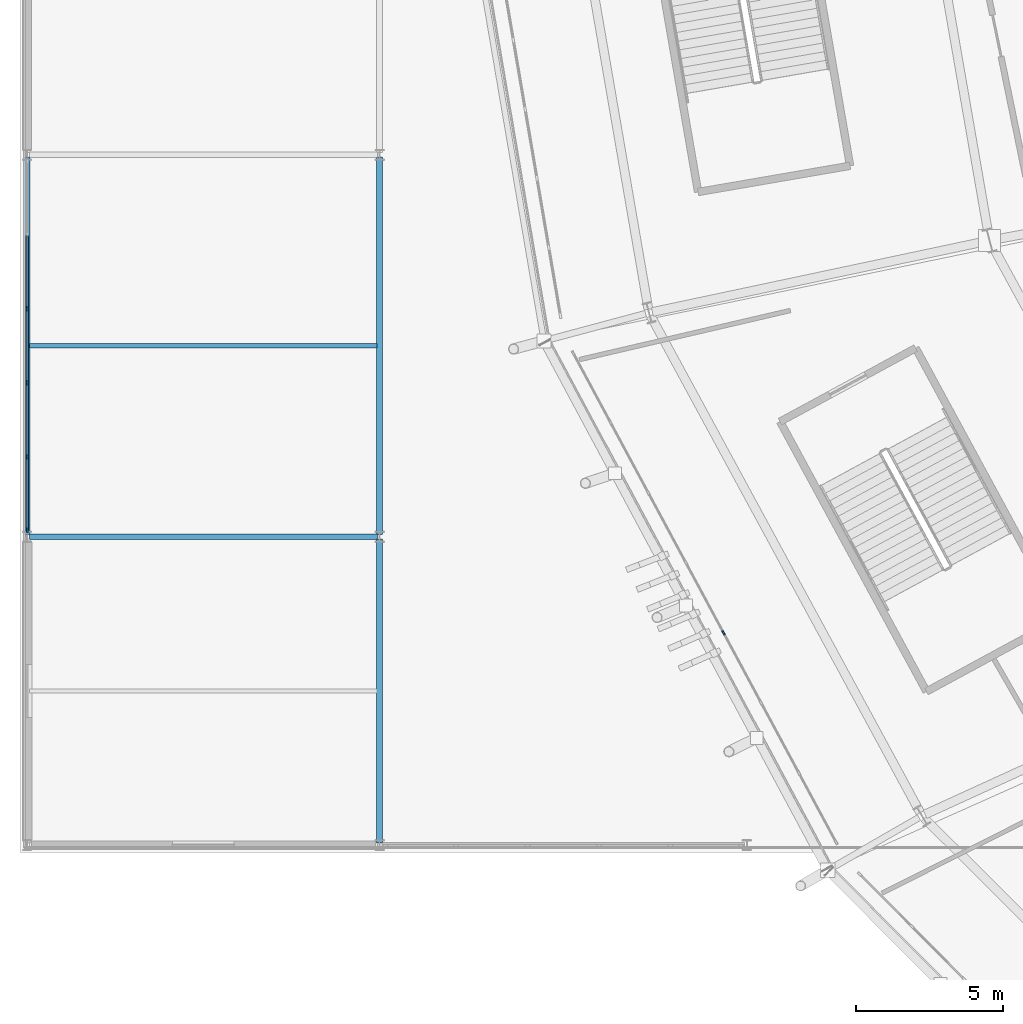
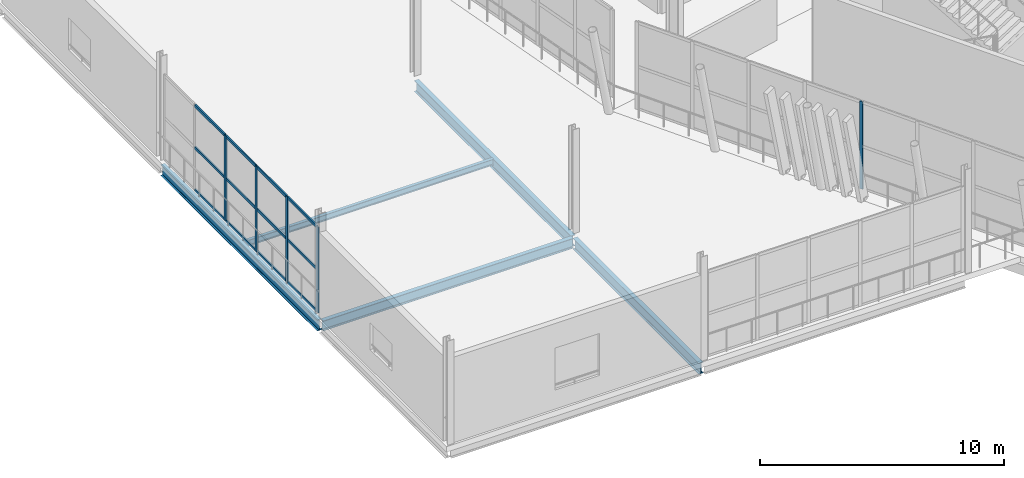
# One storey, part 25 of 168: 17 members, 5 beams, 2 elements without a shape of their own.
"""IFC4 building model written with IfcOpenShell, lengths in metres."""

from ifc_helpers import new_model, si_unit, direction, frame, origin, origin_2d, place, context, subcontext, project, spatial, rectangle, i_section, extrude, material, material_profile, profile_set, type_object, element, aggregate, save


model = new_model("IFC4")

# Units and contexts
model_context = context("Model", 3, precision=1e-05, world=origin(), true_north=direction((0.0, 1.0)))
body_context = subcontext(model_context, "Body", "Model", "MODEL_VIEW")
ifc_project = project(units=[si_unit("LENGTHUNIT", "METRE"), si_unit("AREAUNIT", "SQUARE_METRE"), si_unit("VOLUMEUNIT", "CUBIC_METRE"), si_unit("PLANEANGLEUNIT", "RADIAN"), si_unit("MASSUNIT", "GRAM", prefix="KILO")], contexts=[model_context])

# Site, building, storey
site_placement = place(None, origin())
site = spatial("IfcSite", under=ifc_project, at=site_placement, CompositionType="ELEMENT")
building_placement = place(site_placement, origin())
building = spatial("IfcBuilding", under=site, at=building_placement, Name="Zlatoyarsky Gate Stadium", CompositionType="ELEMENT")
storey_placement = place(building_placement, frame((0.0, 0.0, 15.60009765625)))
storey = spatial("IfcBuildingStorey", under=building, at=storey_placement, Name="L03", CompositionType="ELEMENT", Elevation=15.60009765625)

# Curtain wall, member
ifc_material_1 = material(Name="Thermally broken anodised aluminium curtain wall", Category="aluminium")
curtain_wall_type_1 = type_object("IfcCurtainWallType", Name="UNITISED CORPORATE BOX GLAZING L03", PredefinedType="USERDEFINED", material=ifc_material_1)
curtain_wall_1_placement = place(storey_placement, origin())
curtain_wall_1 = element("IfcCurtainWall", 1, at=curtain_wall_1_placement, inside=storey, type_object=curtain_wall_type_1, Name="Curtain wall CW-L03-13", ObjectType="UNITISED GLAZING", PredefinedType="USERDEFINED")
ifc_material_2 = material(Name="Anodised aluminium 6063-T6", Category="aluminium")
ifc_material_profile_1 = material_profile(ifc_material_2, rectangle(XDim=0.06494140625, YDim=0.159912109375, at=origin_2d()), Name="ALU 65X160")
ifc_profile_set_1 = profile_set([ifc_material_profile_1], Name="Anodised aluminium 6063-T6")
member_type_1 = type_object("IfcMemberType", Name="ALUMINIUM MULLION 65X160", PredefinedType="MULLION", material=ifc_profile_set_1)
member_1_placement = place(storey_placement, frame((23.705322265625, 50.729736328125, 0.0), z_axis=(0.0, 0.0, 1.0), x_axis=(0.880877202392, 0.473344857694, 0.0)))
member_1 = element("IfcMember", 2, at=member_1_placement, type_object=member_type_1, Name="CW-UG3 mullion 5", PredefinedType="MULLION", context=body_context, shape_type="SweptSolid", body=[
    extrude(rectangle(XDim=0.06494140625, YDim=0.159912109375, at=origin_2d()), origin(), (0.0, 0.0, 1.0), 4.3798828125),
])
aggregate(curtain_wall_1, [member_1])

# Curtain wall, members
curtain_wall_type_2 = type_object("IfcCurtainWallType", Name="WINTER GARDEN CONSERVATORY GLAZING", PredefinedType="USERDEFINED", material=ifc_material_1)
curtain_wall_2_placement = place(storey_placement, origin())
curtain_wall_2 = element("IfcCurtainWall", 3, at=curtain_wall_2_placement, inside=storey, type_object=curtain_wall_type_2, Name="Curtain wall CW-V4_WEST-L03-171", ObjectType="UNITISED GLAZING", PredefinedType="USERDEFINED")
member_2_placement = place(storey_placement, frame((0.0, 54.224609375, 0.0), z_axis=(0.0, 0.0, 1.0), x_axis=(-1.0, 0.0, 0.0)))
member_2 = element("IfcMember", 4, at=member_2_placement, type_object=member_type_1, Name="CW-WG1 mullion 1", PredefinedType="MULLION", context=body_context, shape_type="SweptSolid", body=[
    extrude(rectangle(XDim=0.06494140625, YDim=0.159912109375, at=origin_2d()), origin(), (0.0, 0.0, 1.0), 4.27978515625),
])
member_3_placement = place(storey_placement, frame((0.0, 56.715087890625, 0.0), z_axis=(0.0, 0.0, 1.0), x_axis=(-1.0, 0.0, 0.0)))
member_3 = element("IfcMember", 5, at=member_3_placement, type_object=member_type_1, Name="CW-WG1 mullion 2", PredefinedType="MULLION", context=body_context, shape_type="SweptSolid", body=[
    extrude(rectangle(XDim=0.06494140625, YDim=0.159912109375, at=origin_2d()), origin(), (0.0, 0.0, 1.0), 4.27978515625),
])
member_4_placement = place(storey_placement, frame((0.0, 59.23828125, 0.0), z_axis=(0.0, 0.0, 1.0), x_axis=(-1.0, 0.0, 0.0)))
member_4 = element("IfcMember", 6, at=member_4_placement, type_object=member_type_1, Name="CW-WG1 mullion 3", PredefinedType="MULLION", context=body_context, shape_type="SweptSolid", body=[
    extrude(rectangle(XDim=0.06494140625, YDim=0.159912109375, at=origin_2d()), origin(), (0.0, 0.0, 1.0), 4.27978515625),
])
member_5_placement = place(storey_placement, frame((0.0, 61.76171875, 0.0), z_axis=(0.0, 0.0, 1.0), x_axis=(-1.0, 0.0, 0.0)))
member_5 = element("IfcMember", 7, at=member_5_placement, type_object=member_type_1, Name="CW-WG1 mullion 4", PredefinedType="MULLION", context=body_context, shape_type="SweptSolid", body=[
    extrude(rectangle(XDim=0.06494140625, YDim=0.159912109375, at=origin_2d()), origin(), (0.0, 0.0, 1.0), 4.27978515625),
])
ifc_material_profile_2 = material_profile(ifc_material_2, rectangle(XDim=0.06494140625, YDim=0.139892578125, at=origin_2d()), Name="ALU 65X140")
ifc_profile_set_2 = profile_set([ifc_material_profile_2], Name="Anodised aluminium 6063-T6")
member_type_2 = type_object("IfcMemberType", Name="ALUMINIUM TRANSOM 65X140", PredefinedType="USERDEFINED", material=ifc_profile_set_2)
member_6_placement = place(storey_placement, frame((0.0, 54.257080078125, 0.032470703125), z_axis=(0.0, 1.0, 0.0), x_axis=(-1.0, 0.0, 0.0)))
member_6 = element("IfcMember", 8, at=member_6_placement, type_object=member_type_2, Name="CW-WG1 transom 1.1", ObjectType="TRANSOM", PredefinedType="USERDEFINED", context=body_context, shape_type="SweptSolid", body=[
    extrude(rectangle(XDim=0.06494140625, YDim=0.139892578125, at=origin_2d()), origin(), (0.0, 0.0, 1.0), 2.425537109375),
])
member_7_placement = place(storey_placement, frame((0.0, 54.257080078125, 2.14990234375), z_axis=(0.0, 1.0, 0.0), x_axis=(-1.0, 0.0, 0.0)))
member_7 = element("IfcMember", 9, at=member_7_placement, type_object=member_type_2, Name="CW-WG1 transom 1.2", ObjectType="TRANSOM", PredefinedType="USERDEFINED", context=body_context, shape_type="SweptSolid", body=[
    extrude(rectangle(XDim=0.06494140625, YDim=0.139892578125, at=origin_2d()), origin(), (0.0, 0.0, 1.0), 2.425537109375),
])
member_8_placement = place(storey_placement, frame((0.0, 54.257080078125, 4.247314453125), z_axis=(0.0, 1.0, 0.0), x_axis=(-1.0, 0.0, 0.0)))
member_8 = element("IfcMember", 10, at=member_8_placement, type_object=member_type_2, Name="CW-WG1 transom 1.3", ObjectType="TRANSOM", PredefinedType="USERDEFINED", context=body_context, shape_type="SweptSolid", body=[
    extrude(rectangle(XDim=0.06494140625, YDim=0.139892578125, at=origin_2d()), origin(), (0.0, 0.0, 1.0), 2.425537109375),
])
member_9_placement = place(storey_placement, frame((0.0, 56.747802734375, 0.032470703125), z_axis=(0.0, 1.0, 0.0), x_axis=(-1.0, 0.0, 0.0)))
member_9 = element("IfcMember", 11, at=member_9_placement, type_object=member_type_2, Name="CW-WG1 transom 2.1", ObjectType="TRANSOM", PredefinedType="USERDEFINED", context=body_context, shape_type="SweptSolid", body=[
    extrude(rectangle(XDim=0.06494140625, YDim=0.139892578125, at=origin_2d()), origin(), (0.0, 0.0, 1.0), 2.4580078125),
])
member_10_placement = place(storey_placement, frame((0.0, 56.747802734375, 2.14990234375), z_axis=(0.0, 1.0, 0.0), x_axis=(-1.0, 0.0, 0.0)))
member_10 = element("IfcMember", 12, at=member_10_placement, type_object=member_type_2, Name="CW-WG1 transom 2.2", ObjectType="TRANSOM", PredefinedType="USERDEFINED", context=body_context, shape_type="SweptSolid", body=[
    extrude(rectangle(XDim=0.06494140625, YDim=0.139892578125, at=origin_2d()), origin(), (0.0, 0.0, 1.0), 2.4580078125),
])
member_11_placement = place(storey_placement, frame((0.0, 56.747802734375, 4.247314453125), z_axis=(0.0, 1.0, 0.0), x_axis=(-1.0, 0.0, 0.0)))
member_11 = element("IfcMember", 13, at=member_11_placement, type_object=member_type_2, Name="CW-WG1 transom 2.3", ObjectType="TRANSOM", PredefinedType="USERDEFINED", context=body_context, shape_type="SweptSolid", body=[
    extrude(rectangle(XDim=0.06494140625, YDim=0.139892578125, at=origin_2d()), origin(), (0.0, 0.0, 1.0), 2.4580078125),
])
member_12_placement = place(storey_placement, frame((0.0, 59.27099609375, 0.032470703125), z_axis=(0.0, 1.0, 0.0), x_axis=(-1.0, 0.0, 0.0)))
member_12 = element("IfcMember", 14, at=member_12_placement, type_object=member_type_2, Name="CW-WG1 transom 3.1", ObjectType="TRANSOM", PredefinedType="USERDEFINED", context=body_context, shape_type="SweptSolid", body=[
    extrude(rectangle(XDim=0.06494140625, YDim=0.139892578125, at=origin_2d()), origin(), (0.0, 0.0, 1.0), 2.4580078125),
])
member_13_placement = place(storey_placement, frame((0.0, 59.27099609375, 2.14990234375), z_axis=(0.0, 1.0, 0.0), x_axis=(-1.0, 0.0, 0.0)))
member_13 = element("IfcMember", 15, at=member_13_placement, type_object=member_type_2, Name="CW-WG1 transom 3.2", ObjectType="TRANSOM", PredefinedType="USERDEFINED", context=body_context, shape_type="SweptSolid", body=[
    extrude(rectangle(XDim=0.06494140625, YDim=0.139892578125, at=origin_2d()), origin(), (0.0, 0.0, 1.0), 2.4580078125),
])
member_14_placement = place(storey_placement, frame((0.0, 59.27099609375, 4.247314453125), z_axis=(0.0, 1.0, 0.0), x_axis=(-1.0, 0.0, 0.0)))
member_14 = element("IfcMember", 16, at=member_14_placement, type_object=member_type_2, Name="CW-WG1 transom 3.3", ObjectType="TRANSOM", PredefinedType="USERDEFINED", context=body_context, shape_type="SweptSolid", body=[
    extrude(rectangle(XDim=0.06494140625, YDim=0.139892578125, at=origin_2d()), origin(), (0.0, 0.0, 1.0), 2.4580078125),
])
member_15_placement = place(storey_placement, frame((0.0, 61.794189453125, 0.032470703125), z_axis=(0.0, 1.0, 0.0), x_axis=(-1.0, 0.0, 0.0)))
member_15 = element("IfcMember", 17, at=member_15_placement, type_object=member_type_2, Name="CW-WG1 transom 4.1", ObjectType="TRANSOM", PredefinedType="USERDEFINED", context=body_context, shape_type="SweptSolid", body=[
    extrude(rectangle(XDim=0.06494140625, YDim=0.139892578125, at=origin_2d()), origin(), (0.0, 0.0, 1.0), 2.4580078125),
])
member_16_placement = place(storey_placement, frame((0.0, 61.794189453125, 2.14990234375), z_axis=(0.0, 1.0, 0.0), x_axis=(-1.0, 0.0, 0.0)))
member_16 = element("IfcMember", 18, at=member_16_placement, type_object=member_type_2, Name="CW-WG1 transom 4.2", ObjectType="TRANSOM", PredefinedType="USERDEFINED", context=body_context, shape_type="SweptSolid", body=[
    extrude(rectangle(XDim=0.06494140625, YDim=0.139892578125, at=origin_2d()), origin(), (0.0, 0.0, 1.0), 2.4580078125),
])
member_17_placement = place(storey_placement, frame((0.0, 61.794189453125, 4.247314453125), z_axis=(0.0, 1.0, 0.0), x_axis=(-1.0, 0.0, 0.0)))
member_17 = element("IfcMember", 19, at=member_17_placement, type_object=member_type_2, Name="CW-WG1 transom 4.3", ObjectType="TRANSOM", PredefinedType="USERDEFINED", context=body_context, shape_type="SweptSolid", body=[
    extrude(rectangle(XDim=0.06494140625, YDim=0.139892578125, at=origin_2d()), origin(), (0.0, 0.0, 1.0), 2.4580078125),
])
aggregate(curtain_wall_2, [member_2, member_3, member_4, member_5, member_6, member_7, member_8, member_9, member_10, member_11, member_12, member_13, member_14, member_15, member_16, member_17])

# Beams
ifc_material_3 = material(Name="Steel S355", Category="steel")
ifc_material_profile_3 = material_profile(ifc_material_3, i_section(OverallWidth=0.199951171875, OverallDepth=0.5, WebThickness=0.01025390625, FlangeThickness=0.01611328125, FilletRadius=0.02099609375, at=origin_2d()), Name="IPE 500")
ifc_profile_set_3 = profile_set([ifc_material_profile_3], Name="Steel S355")
beam_type_1 = type_object("IfcBeamType", Name="STEEL FLOOR BEAM IPE 500", PredefinedType="BEAM", material=ifc_profile_set_3)
beam_1_placement = place(storey_placement, frame((0.080078125, 54.0, -0.530029296875), z_axis=(1.0, 0.0, 0.0), x_axis=(0.0, 1.0, 0.0)))
element("IfcBeam", 20, at=beam_1_placement, inside=storey, type_object=beam_type_1, Name="Beam B-IPE500 BM-L03-WGX-1-F", PredefinedType="BEAM", context=body_context, shape_type="SweptSolid", body=[
    extrude(i_section(OverallWidth=0.199951171875, OverallDepth=0.5, WebThickness=0.01025390625, FlangeThickness=0.01611328125, FilletRadius=0.02099609375, at=origin_2d()), origin(), (0.0, 0.0, 1.0), 11.83984375),
])
ifc_material_profile_4 = material_profile(ifc_material_3, i_section(OverallWidth=0.2099609375, OverallDepth=0.550048828125, WebThickness=0.010986328125, FlangeThickness=0.01708984375, FilletRadius=0.02392578125, at=origin_2d()), Name="IPE 550")
ifc_profile_set_4 = profile_set([ifc_material_profile_4], Name="Steel S355")
beam_type_2 = type_object("IfcBeamType", Name="STEEL FLOOR BEAM IPE 550", PredefinedType="BEAM", material=ifc_profile_set_4)
beam_2_placement = place(storey_placement, frame((0.0, 54.080078125, -0.55517578125), z_axis=(0.0, 1.0, 0.0), x_axis=(-1.0, 0.0, 0.0)))
element("IfcBeam", 21, at=beam_2_placement, inside=storey, type_object=beam_type_2, Name="Beam B-IPE550 BM-L03-WGY-1-F", PredefinedType="BEAM", context=body_context, shape_type="SweptSolid", body=[
    extrude(i_section(OverallWidth=0.2099609375, OverallDepth=0.550048828125, WebThickness=0.010986328125, FlangeThickness=0.01708984375, FilletRadius=0.02392578125, at=origin_2d()), origin(), (0.0, 0.0, 1.0), 12.83984375),
])
beam_3_placement = place(storey_placement, frame((12.0, 43.580078125, -0.55517578125), z_axis=(0.0, 1.0, 0.0), x_axis=(-1.0, 0.0, 0.0)))
element("IfcBeam", 22, at=beam_3_placement, inside=storey, type_object=beam_type_2, Name="Beam B-IPE550 BM-L03-WGY-2-E", PredefinedType="BEAM", context=body_context, shape_type="SweptSolid", body=[
    extrude(i_section(OverallWidth=0.2099609375, OverallDepth=0.550048828125, WebThickness=0.010986328125, FlangeThickness=0.01708984375, FilletRadius=0.02392578125, at=origin_2d()), origin(), (0.0, 0.0, 1.0), 10.33984375),
])
beam_4_placement = place(storey_placement, frame((12.0, 54.080078125, -0.55517578125), z_axis=(0.0, 1.0, 0.0), x_axis=(-1.0, 0.0, 0.0)))
element("IfcBeam", 23, at=beam_4_placement, inside=storey, type_object=beam_type_2, Name="Beam B-IPE550 BM-L03-WGY-2-F", PredefinedType="BEAM", context=body_context, shape_type="SweptSolid", body=[
    extrude(i_section(OverallWidth=0.2099609375, OverallDepth=0.550048828125, WebThickness=0.010986328125, FlangeThickness=0.01708984375, FilletRadius=0.02392578125, at=origin_2d()), origin(), (0.0, 0.0, 1.0), 12.83984375),
])
ifc_material_profile_5 = material_profile(ifc_material_3, i_section(OverallWidth=0.14990234375, OverallDepth=0.300048828125, WebThickness=0.007080078125, FlangeThickness=0.0107421875, FilletRadius=0.014892578125, at=origin_2d()), Name="IPE 300")
ifc_profile_set_5 = profile_set([ifc_material_profile_5], Name="Steel S355")
beam_type_3 = type_object("IfcBeamType", Name="STEEL SECONDARY JOIST IPE 300", PredefinedType="JOIST", material=ifc_profile_set_5)
beam_5_placement = place(storey_placement, frame((0.090087890625, 60.5, -0.43017578125), z_axis=(1.0, 0.0, 0.0), x_axis=(0.0, 1.0, 0.0)))
element("IfcBeam", 24, at=beam_5_placement, inside=storey, type_object=beam_type_3, Name="Beam J-IPE300 JST-L03-1-F", PredefinedType="JOIST", context=body_context, shape_type="SweptSolid", body=[
    extrude(i_section(OverallWidth=0.14990234375, OverallDepth=0.300048828125, WebThickness=0.007080078125, FlangeThickness=0.0107421875, FilletRadius=0.014892578125, at=origin_2d()), origin(), (0.0, 0.0, 1.0), 11.81982421875),
])

save(model, "model.ifc")
